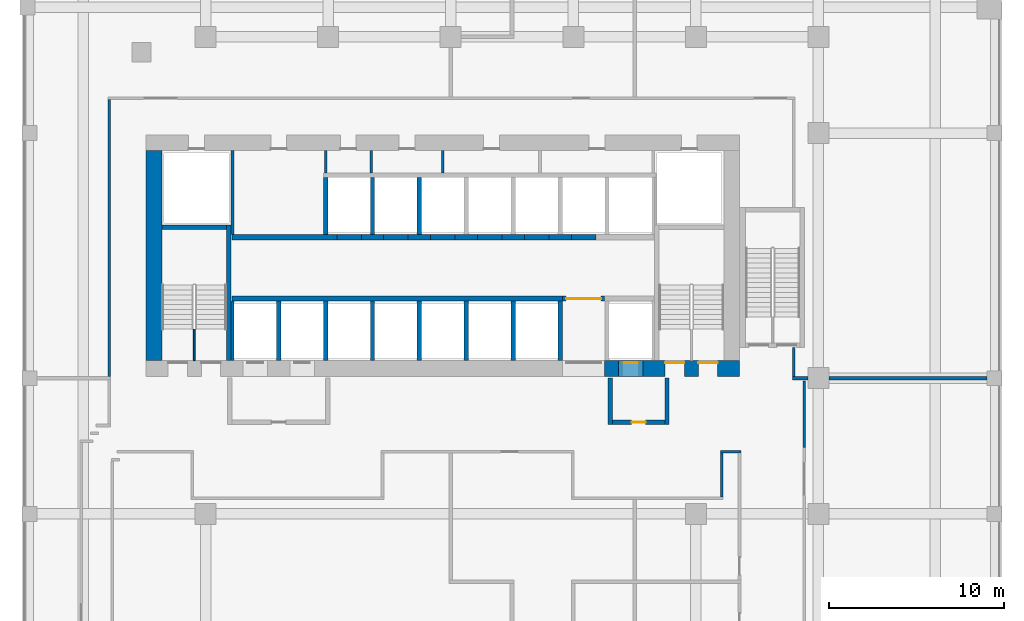
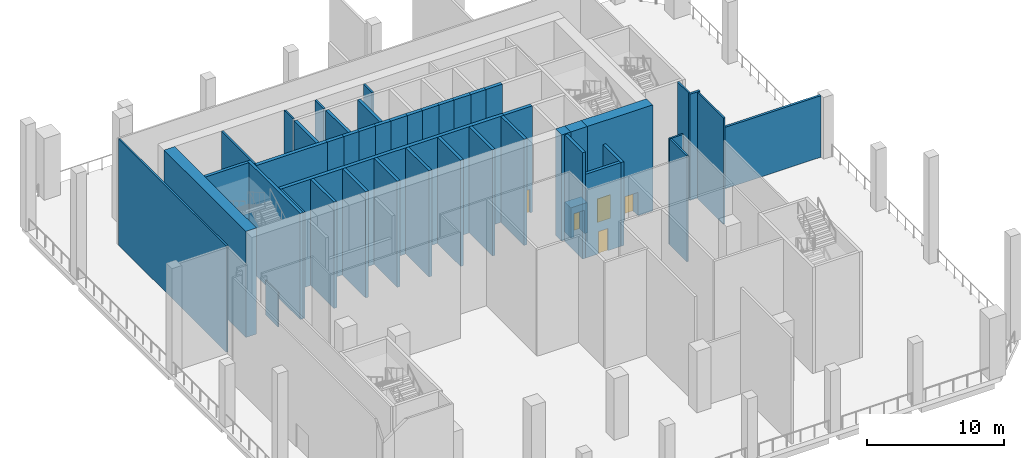
# One storey, part 4 of 12: 47 walls, 5 doors, 5 openings.
"""IFC4 building model written with IfcOpenShell, lengths in metres."""

from ifc_helpers import new_model, si_unit, direction, frame, frame_2d, origin, place, context, subcontext, project, spatial, rectangle, extrude, source, transform, mapped, material, layer, layer_set, type_object, element, fill, save


model = new_model("IFC4")

# Units and contexts
model_context = context("Model", 3, precision=1e-05, world=origin(), true_north=direction((0.0, 1.0)))
body_context = subcontext(model_context, "Body", "Model", "MODEL_VIEW")
ifc_project = project(units=[si_unit("LENGTHUNIT", "METRE"), si_unit("AREAUNIT", "SQUARE_METRE"), si_unit("VOLUMEUNIT", "CUBIC_METRE"), si_unit("PLANEANGLEUNIT", "RADIAN"), si_unit("MASSUNIT", "GRAM", prefix="KILO")], contexts=[model_context])

# Site, building, storey
site_placement = place(None, origin())
site = spatial("IfcSite", under=ifc_project, at=site_placement, CompositionType="ELEMENT")
building_placement = place(site_placement, origin())
building = spatial("IfcBuilding", under=site, at=building_placement, Name="Kilnfold Tower and Market Hall", CompositionType="ELEMENT")
storey_placement = place(building_placement, frame((0.0, 0.0, 128.60009765625)))
storey = spatial("IfcBuildingStorey", under=building, at=storey_placement, Name="L30 Refuge Wind Floor", CompositionType="ELEMENT", Elevation=128.60009765625)

# Walls
ifc_material_1 = material(Name="Gypsum board on steel studs", Category="steel")
ifc_layer_1 = layer(ifc_material_1, 0.14990234375)
ifc_layer_set_1 = layer_set([ifc_layer_1], Name="Gypsum board on steel studs")
wall_type_1 = type_object("IfcWallType", Name="WALL CORRIDOR 150", PredefinedType="PARTITIONING", material=ifc_layer_set_1)
wall_1_placement = place(storey_placement, frame((21.701904296875, 4.048095703125, 0.0), z_axis=(0.0, 0.0, 1.0), x_axis=(0.0, 1.0, 0.0)))
element("IfcWall", 1, at=wall_1_placement, inside=storey, type_object=wall_type_1, Name="Partition LY19.20", PredefinedType="PARTITIONING", context=body_context, shape_type="SweptSolid", body=[
    extrude(rectangle(XDim=3.788818359375, YDim=0.14990234375, at=frame_2d((1.89453125, 0.0))), origin(), (0.0, 0.0, 1.0), 9.5),
])
wall_2_placement = place(storey_placement, frame((16.905029296875, 3.800048828125, 0.0), z_axis=(0.0, 0.0, 1.0), x_axis=(1.0, 0.0, 0.0)))
element("IfcWall", 2, at=wall_2_placement, inside=storey, type_object=wall_type_1, Name="Partition LY19.23", PredefinedType="PARTITIONING", context=body_context, shape_type="SweptSolid", body=[
    extrude(rectangle(XDim=1.169921875, YDim=0.14990234375, at=frame_2d((0.5849609375, 0.0))), origin(), (0.0, 0.0, 1.0), 9.5),
])
wall_3_placement = place(storey_placement, frame((16.97998046875, 1.22509765625, 0.0), z_axis=(0.0, 0.0, 1.0), x_axis=(0.0, 1.0, 0.0)))
element("IfcWall", 3, at=wall_3_placement, inside=storey, type_object=wall_type_1, Name="Partition LY19.24", PredefinedType="PARTITIONING", context=body_context, shape_type="SweptSolid", body=[
    extrude(rectangle(XDim=2.5, YDim=0.14990234375, at=frame_2d((1.25, 0.0))), origin(), (0.0, 0.0, 1.0), 9.5),
])
wall_4_placement = place(storey_placement, frame((21.10009765625, 8.090087890625, 0.0), z_axis=(0.0, 0.0, 1.0), x_axis=(0.0, 1.0, 0.0)))
element("IfcWall", 4, at=wall_4_placement, inside=storey, type_object=wall_type_1, Name="Partition LY19.26", PredefinedType="PARTITIONING", context=body_context, shape_type="SweptSolid", body=[
    extrude(rectangle(XDim=1.659912109375, YDim=0.14990234375, at=frame_2d((0.830078125, 0.0))), origin(), (0.0, 0.0, 1.0), 9.5),
])
wall_5_placement = place(storey_placement, frame((-18.0, 8.090087890625, 0.0), z_axis=(0.0, 0.0, 1.0), x_axis=(0.0, 1.0, 0.0)))
element("IfcWall", 5, at=wall_5_placement, inside=storey, type_object=wall_type_1, Name="Partition LY19.27", PredefinedType="PARTITIONING", context=body_context, shape_type="SweptSolid", body=[
    extrude(rectangle(XDim=15.8349609375, YDim=0.14990234375, at=frame_2d((7.91748046875, 0.0))), origin(), (0.0, 0.0, 1.0), 9.5),
])
ifc_material_2 = material(Name="Gypsum board on steel studs", Category="steel")
ifc_layer_2 = layer(ifc_material_2, 0.199951171875)
ifc_layer_set_2 = layer_set([ifc_layer_2], Name="Gypsum board on steel studs")
wall_type_2 = type_object("IfcWallType", Name="WALL PARTY 200", PredefinedType="PARTITIONING", material=ifc_layer_set_2)
wall_6_placement = place(storey_placement, frame((21.027099609375, 8.0, 0.0), z_axis=(0.0, 0.0, 1.0), x_axis=(1.0, 0.0, 0.0)))
element("IfcWall", 6, at=wall_6_placement, inside=storey, type_object=wall_type_2, Name="Partition LY19.42", PredefinedType="PARTITIONING", context=body_context, shape_type="SweptSolid", body=[
    extrude(rectangle(XDim=0.872802734375, YDim=0.199951171875, at=frame_2d((0.4365234375, 0.0))), origin(), (0.0, 0.0, 1.0), 9.5),
])
wall_7_placement = place(storey_placement, frame((23.10009765625, 8.0, 0.0), z_axis=(0.0, 0.0, 1.0), x_axis=(1.0, 0.0, 0.0)))
element("IfcWall", 7, at=wall_7_placement, inside=storey, type_object=wall_type_2, Name="Partition LY19.43", PredefinedType="PARTITIONING", context=body_context, shape_type="SweptSolid", body=[
    extrude(rectangle(XDim=9.02490234375, YDim=0.199951171875, at=frame_2d((4.512451171875, 0.0))), origin(), (0.0, 0.0, 1.0), 5.5),
])
ifc_material_3 = material(Name="Concrete C70", Category="concrete")
ifc_layer_3 = layer(ifc_material_3, 0.89990234375)
ifc_layer_set_3 = layer_set([ifc_layer_3], Name="Concrete C70")
wall_type_3 = type_object("IfcWallType", Name="CORE WALL 900 C70", PredefinedType="SHEAR", material=ifc_layer_set_3)
shared_shape_1 = source(origin(), body_context, "Body", "SweptSolid", [
    extrude(rectangle(XDim=0.780029296875, YDim=0.89990234375, at=frame_2d((0.39013671875, 0.0))), origin(), (0.0, 0.0, 1.0), 9.5),
])
wall_8_placement = place(storey_placement, frame((10.2900390625, 8.550048828125, 0.0), z_axis=(0.0, 0.0, 1.0), x_axis=(1.0, 0.0, 0.0)))
element("IfcWall", 8, at=wall_8_placement, inside=storey, type_object=wall_type_3, Name="Core outer wall south", PredefinedType="SHEAR", context=body_context, shape_type="MappedRepresentation", body=[
    mapped(shared_shape_1, transform((0.0, 0.0, 0.0))),
])

# Wall, openings, doors
shared_shape_2 = source(origin(), body_context, "Body", "SweptSolid", [
    extrude(rectangle(XDim=5.530029296875, YDim=0.89990234375, at=frame_2d((2.76513671875, 0.0))), origin(), (0.0, 0.0, 1.0), 9.5),
])
wall_9_placement = place(storey_placement, frame((12.469970703125, 8.550048828125, 0.0), z_axis=(0.0, 0.0, 1.0), x_axis=(1.0, 0.0, 0.0)))
wall_9 = element("IfcWall", 9, at=wall_9_placement, inside=storey, type_object=wall_type_3, Name="Core outer wall south", PredefinedType="SHEAR", context=body_context, shape_type="MappedRepresentation", body=[
    mapped(shared_shape_2, transform((0.0, 0.0, 0.0))),
])
opening_1_placement = place(wall_9_placement, frame((1.280029296875, 0.0, 0.0)))
opening_1 = element("IfcOpeningElement", 10, at=opening_1_placement, cuts=wall_9, Name="Opening SD3", PredefinedType="OPENING", context=body_context, shape_type="SweptSolid", body=[
    extrude(rectangle(XDim=1.10009765625, YDim=2.10009765625, at=frame_2d((0.550048828125, 1.050048828125))), frame((0.0, 0.4599609375, 0.0), z_axis=(0.0, -1.0, 0.0), x_axis=(1.0, 0.0, 0.0)), (0.0, 0.0, 1.0), 0.919921875),
])
opening_2_placement = place(wall_9_placement, frame((3.179931640625, 0.0, 0.0)))
opening_2 = element("IfcOpeningElement", 11, at=opening_2_placement, cuts=wall_9, Name="Opening SD3", PredefinedType="OPENING", context=body_context, shape_type="SweptSolid", body=[
    extrude(rectangle(XDim=1.10009765625, YDim=2.10009765625, at=frame_2d((0.550048828125, 1.050048828125))), frame((0.0, 0.4599609375, 0.0), z_axis=(0.0, -1.0, 0.0), x_axis=(1.0, 0.0, 0.0)), (0.0, 0.0, 1.0), 0.919921875),
])
ifc_material_4 = material(Name="Steel door set with fire-resisting leaf", Category="steel")
door_type_1 = type_object("IfcDoorType", Name="STAIR REFUGE DOOR 1100X2100", OperationType="NOTDEFINED", PredefinedType="DOOR", material=ifc_material_4)
door_1_placement = place(opening_1_placement, origin())
door_1 = element("IfcDoor", 12, at=door_1_placement, inside=storey, type_object=door_type_1, Name="Exit stair ST2 door from refuge", OperationType="SINGLE_SWING_RIGHT", OverallHeight=2.10009765625, OverallWidth=1.10009765625, PredefinedType="DOOR", context=body_context, shape_type="SweptSolid", body=[
    extrude(rectangle(XDim=1.10009765625, YDim=2.10009765625, at=frame_2d((0.550048828125, 1.050048828125))), frame((0.0, 0.35498046875, 0.0), z_axis=(0.0, -1.0, 0.0), x_axis=(1.0, 0.0, 0.0)), (0.0, 0.0, 1.0), 0.050048828125),
])
fill(opening_1, door_1)
door_2_placement = place(opening_2_placement, origin())
door_2 = element("IfcDoor", 13, at=door_2_placement, inside=storey, type_object=door_type_1, Name="Exit stair ST2 door to refuge", OperationType="SINGLE_SWING_LEFT", OverallHeight=2.10009765625, OverallWidth=1.10009765625, PredefinedType="DOOR", context=body_context, shape_type="SweptSolid", body=[
    extrude(rectangle(XDim=1.10009765625, YDim=2.10009765625, at=frame_2d((0.550048828125, 1.050048828125))), frame((0.0, 0.35498046875, 0.0), z_axis=(0.0, -1.0, 0.0), x_axis=(1.0, 0.0, 0.0)), (0.0, 0.0, 1.0), 0.050048828125),
])
fill(opening_2, door_2)

# Walls
shared_shape_3 = source(origin(), body_context, "Body", "SweptSolid", [
    extrude(rectangle(XDim=12.0, YDim=0.89990234375, at=frame_2d((6.0, 0.0))), origin(), (0.0, 0.0, 1.0), 9.5),
])
wall_10_placement = place(storey_placement, frame((-15.449951171875, 9.0, 0.0), z_axis=(0.0, 0.0, 1.0), x_axis=(0.0, 1.0, 0.0)))
element("IfcWall", 14, at=wall_10_placement, inside=storey, type_object=wall_type_3, Name="Core outer wall west", PredefinedType="SHEAR", context=body_context, shape_type="MappedRepresentation", body=[
    mapped(shared_shape_3, transform((0.0, 0.0, 0.0))),
])
ifc_material_5 = material(Name="Concrete C70", Category="concrete")
ifc_layer_4 = layer(ifc_material_5, 0.25)
ifc_layer_set_4 = layer_set([ifc_layer_4], Name="Concrete C70")
wall_type_4 = type_object("IfcWallType", Name="CORE WALL 250 C70", PredefinedType="SHEAR", material=ifc_layer_set_4)
shared_shape_4 = source(origin(), body_context, "Body", "SweptSolid", [
    extrude(rectangle(XDim=7.75, YDim=0.25, at=frame_2d((3.875, 0.0))), origin(), (0.0, 0.0, 1.0), 9.5),
])
wall_11_placement = place(storey_placement, frame((-11.175048828125, 9.0, 0.0), z_axis=(0.0, 0.0, 1.0), x_axis=(0.0, 1.0, 0.0)))
element("IfcWall", 15, at=wall_11_placement, inside=storey, type_object=wall_type_4, Name="Stair enclosure ST1", PredefinedType="SHEAR", context=body_context, shape_type="MappedRepresentation", body=[
    mapped(shared_shape_4, transform((0.0, 0.0, 0.0))),
])
shared_shape_5 = source(origin(), body_context, "Body", "SweptSolid", [
    extrude(rectangle(XDim=3.699951171875, YDim=0.25, at=frame_2d((1.85009765625, 0.0))), origin(), (0.0, 0.0, 1.0), 9.5),
])
wall_12_placement = place(storey_placement, frame((-15.0, 16.625, 0.0), z_axis=(0.0, 0.0, 1.0), x_axis=(1.0, 0.0, 0.0)))
element("IfcWall", 16, at=wall_12_placement, inside=storey, type_object=wall_type_4, Name="Stair enclosure ST1", PredefinedType="SHEAR", context=body_context, shape_type="MappedRepresentation", body=[
    mapped(shared_shape_5, transform((0.0, 0.0, 0.0))),
])
ifc_material_6 = material(Name="Concrete C70", Category="concrete")
ifc_layer_5 = layer(ifc_material_6, 0.300048828125)
ifc_layer_set_5 = layer_set([ifc_layer_5], Name="Concrete C70")
wall_type_5 = type_object("IfcWallType", Name="CORE WALL 300 C70", PredefinedType="SHEAR", material=ifc_layer_set_5)
shared_shape_6 = source(origin(), body_context, "Body", "SweptSolid", [
    extrude(rectangle(XDim=18.89990234375, YDim=0.300048828125, at=frame_2d((9.449951171875, 0.0))), origin(), (0.0, 0.0, 1.0), 9.5),
])
wall_13_placement = place(storey_placement, frame((-11.010009765625, 12.550048828125, 0.0), z_axis=(0.0, 0.0, 1.0), x_axis=(1.0, 0.0, 0.0)))
element("IfcWall", 17, at=wall_13_placement, inside=storey, type_object=wall_type_5, Name="Core spine wall", PredefinedType="SHEAR", context=body_context, shape_type="MappedRepresentation", body=[
    mapped(shared_shape_6, transform((0.0, 0.0, 0.0))),
])
shared_shape_7 = source(origin(), body_context, "Body", "SweptSolid", [
    extrude(rectangle(XDim=6.0, YDim=0.300048828125, at=frame_2d((3.0, 0.0))), origin(), (0.0, 0.0, 1.0), 9.5),
])
wall_14_placement = place(storey_placement, frame((-11.010009765625, 16.050048828125, 0.0), z_axis=(0.0, 0.0, 1.0), x_axis=(1.0, 0.0, 0.0)))
element("IfcWall", 18, at=wall_14_placement, inside=storey, type_object=wall_type_5, Name="Core spine wall", PredefinedType="SHEAR", context=body_context, shape_type="MappedRepresentation", body=[
    mapped(shared_shape_7, transform((0.0, 0.0, 0.0))),
])
shared_shape_8 = source(origin(), body_context, "Body", "SweptSolid", [
    extrude(rectangle(XDim=1.280029296875, YDim=0.300048828125, at=frame_2d((0.64013671875, 0.0))), origin(), (0.0, 0.0, 1.0), 9.5),
])
for number, where, z_axis, x_axis, name in (
    (19, (-3.610107421875, 16.050048828125, 0.0), (0.0, 0.0, 1.0), (1.0, 0.0, 0.0), "Core spine wall"),
    (20, (-0.929931640625, 16.050048828125, 0.0), (0.0, 0.0, 1.0), (1.0, 0.0, 0.0), "Core spine wall"),
    (21, (1.75, 16.050048828125, 0.0), (0.0, 0.0, 1.0), (1.0, 0.0, 0.0), "Core spine wall"),
    (22, (4.429931640625, 16.050048828125, 0.0), (0.0, 0.0, 1.0), (1.0, 0.0, 0.0), "Core spine wall"),
):
    element("IfcWall", number, at=place(storey_placement, frame(where, z_axis=z_axis, x_axis=x_axis)), inside=storey, type_object=wall_type_5, Name=name, PredefinedType="SHEAR", context=body_context, shape_type="MappedRepresentation", body=[
        mapped(shared_shape_8, transform((0.0, 0.0, 0.0))),
    ])
shared_shape_9 = source(origin(), body_context, "Body", "SweptSolid", [
    extrude(rectangle(XDim=1.27978515625, YDim=0.300048828125, at=frame_2d((0.639892578125, 0.0))), origin(), (0.0, 0.0, 1.0), 9.5),
])
wall_15_placement = place(storey_placement, frame((7.110107421875, 16.050048828125, 0.0), z_axis=(0.0, 0.0, 1.0), x_axis=(1.0, 0.0, 0.0)))
element("IfcWall", 23, at=wall_15_placement, inside=storey, type_object=wall_type_5, Name="Core spine wall", PredefinedType="SHEAR", context=body_context, shape_type="MappedRepresentation", body=[
    mapped(shared_shape_9, transform((0.0, 0.0, 0.0))),
])
shared_shape_10 = source(origin(), body_context, "Body", "SweptSolid", [
    extrude(rectangle(XDim=1.39990234375, YDim=0.89990234375, at=frame_2d((0.699951171875, 0.0))), origin(), (0.0, 0.0, 1.0), 5.550048828125),
])
wall_16_placement = place(storey_placement, frame((11.070068359375, 8.550048828125, 3.949951171875), z_axis=(0.0, 0.0, 1.0), x_axis=(1.0, 0.0, 0.0)))
element("IfcWall", 24, at=wall_16_placement, inside=storey, type_object=wall_type_3, Name="Core wall over opening", PredefinedType="SHEAR", context=body_context, shape_type="MappedRepresentation", body=[
    mapped(shared_shape_10, transform((0.0, 0.0, 0.0))),
])

# Wall, opening, door
ifc_material_7 = material(Name="Gypsum shaft wall system")
ifc_layer_6 = layer(ifc_material_7, 0.89990234375)
ifc_layer_set_6 = layer_set([ifc_layer_6], Name="Gypsum shaft wall system")
wall_type_6 = type_object("IfcWallType", Name="LOBBY WALL 900", PredefinedType="PARTITIONING", material=ifc_layer_set_6)
shared_shape_11 = source(origin(), body_context, "Body", "SweptSolid", [
    extrude(rectangle(XDim=1.39990234375, YDim=0.89990234375, at=frame_2d((0.699951171875, 0.0))), origin(), (0.0, 0.0, 1.0), 2.699951171875),
])
wall_17_placement = place(storey_placement, frame((11.070068359375, 8.550048828125, 0.0), z_axis=(0.0, 0.0, 1.0), x_axis=(1.0, 0.0, 0.0)))
wall_17 = element("IfcWall", 25, at=wall_17_placement, inside=storey, type_object=wall_type_6, Name="Core wall infill", PredefinedType="PARTITIONING", context=body_context, shape_type="MappedRepresentation", body=[
    mapped(shared_shape_11, transform((0.0, 0.0, 0.0))),
])
opening_3_placement = place(wall_17_placement, frame((0.25, 0.0, 0.0)))
opening_3 = element("IfcOpeningElement", 26, at=opening_3_placement, cuts=wall_17, Name="Opening LD1", PredefinedType="OPENING", context=body_context, shape_type="SweptSolid", body=[
    extrude(rectangle(XDim=0.89990234375, YDim=2.10009765625, at=frame_2d((0.449951171875, 1.050048828125))), frame((0.0, 0.4599609375, 0.0), z_axis=(0.0, -1.0, 0.0), x_axis=(1.0, 0.0, 0.0)), (0.0, 0.0, 1.0), 0.919921875),
])
ifc_material_8 = material(Name="Steel door set with fire-resisting leaf", Category="steel")
door_type_2 = type_object("IfcDoorType", Name="FIREFIGHTING LANDING DOOR 900X2100", OperationType="NOTDEFINED", PredefinedType="DOOR", material=ifc_material_8)
door_3_placement = place(opening_3_placement, origin())
door_3 = element("IfcDoor", 27, at=door_3_placement, inside=storey, type_object=door_type_2, Name="Landing door FF3", OperationType="SLIDING_TO_LEFT", OverallHeight=2.10009765625, OverallWidth=0.89990234375, PredefinedType="DOOR", context=body_context, shape_type="SweptSolid", body=[
    extrude(rectangle(XDim=0.89990234375, YDim=2.10009765625, at=frame_2d((0.449951171875, 1.050048828125))), frame((0.0, 0.35498046875, 0.0), z_axis=(0.0, -1.0, 0.0), x_axis=(1.0, 0.0, 0.0)), (0.0, 0.0, 1.0), 0.050048828125),
])
fill(opening_3, door_3)

ifc_material_9 = material(Name="Gypsum shaft wall system")
ifc_layer_7 = layer(ifc_material_9, 0.300048828125)
ifc_layer_set_7 = layer_set([ifc_layer_7], Name="Gypsum shaft wall system")
wall_type_7 = type_object("IfcWallType", Name="SHAFT WALL 300", PredefinedType="PARTITIONING", material=ifc_layer_set_7)
shared_shape_12 = source(origin(), body_context, "Body", "SweptSolid", [
    extrude(rectangle(XDim=2.400146484375, YDim=0.300048828125, at=frame_2d((1.2001953125, 0.0))), origin(), (0.0, 0.0, 1.0), 9.5),
])
wall_18_placement = place(storey_placement, frame((7.889892578125, 12.550048828125, 0.0), z_axis=(0.0, 0.0, 1.0), x_axis=(1.0, 0.0, 0.0)))
wall_18 = element("IfcWall", 28, at=wall_18_placement, inside=storey, type_object=wall_type_7, Name="Lift shaft front wall", PredefinedType="PARTITIONING", context=body_context, shape_type="MappedRepresentation", body=[
    mapped(shared_shape_12, transform((0.0, 0.0, 0.0))),
])
opening_4_placement = place(wall_18_placement, frame((0.199951171875, 0.0, 0.0)))
opening_4 = element("IfcOpeningElement", 29, at=opening_4_placement, cuts=wall_18, Name="Opening VD2", PredefinedType="OPENING", context=body_context, shape_type="SweptSolid", body=[
    extrude(rectangle(XDim=2.0, YDim=2.10009765625, at=frame_2d((1.0, 1.050048828125))), frame((0.0, 0.16015625, 0.0), z_axis=(0.0, -1.0, 0.0), x_axis=(1.0, 0.0, 0.0)), (0.0, 0.0, 1.0), 0.320068359375),
])
ifc_material_10 = material(Name="Steel door set with fire-resisting leaf", Category="steel")
door_type_3 = type_object("IfcDoorType", Name="LIFT LOBBY ENTRANCE DOOR 2000X2100", OperationType="NOTDEFINED", PredefinedType="DOOR", material=ifc_material_10)
door_4_placement = place(opening_4_placement, origin())
door_4 = element("IfcDoor", 30, at=door_4_placement, inside=storey, type_object=door_type_3, Name="Lift lobby entrance door", OperationType="DOUBLE_DOOR_SINGLE_SWING", OverallHeight=2.10009765625, OverallWidth=2.0, PredefinedType="DOOR", context=body_context, shape_type="SweptSolid", body=[
    extrude(rectangle(XDim=2.0, YDim=2.10009765625, at=frame_2d((1.0, 1.050048828125))), frame((0.0, 0.02490234375, 0.0), z_axis=(0.0, -1.0, 0.0), x_axis=(1.0, 0.0, 0.0)), (0.0, 0.0, 1.0), 0.050048828125),
])
fill(opening_4, door_4)

# Walls
shared_shape_13 = source(origin(), body_context, "Body", "SweptSolid", [
    extrude(rectangle(XDim=1.39990234375, YDim=0.300048828125, at=frame_2d((0.699951171875, 0.0))), origin(), (0.0, 0.0, 1.0), 9.5),
])
for number, where, z_axis, x_axis, name in (
    (31, (-5.010009765625, 16.050048828125, 0.0), (0.0, 0.0, 1.0), (1.0, 0.0, 0.0), "Lift shaft front wall"),
    (32, (0.35009765625, 16.050048828125, 0.0), (0.0, 0.0, 1.0), (1.0, 0.0, 0.0), "Lift shaft front wall"),
    (33, (3.030029296875, 16.050048828125, 0.0), (0.0, 0.0, 1.0), (1.0, 0.0, 0.0), "Lift shaft front wall"),
):
    element("IfcWall", number, at=place(storey_placement, frame(where, z_axis=z_axis, x_axis=x_axis)), inside=storey, type_object=wall_type_7, Name=name, PredefinedType="PARTITIONING", context=body_context, shape_type="MappedRepresentation", body=[
        mapped(shared_shape_13, transform((0.0, 0.0, 0.0))),
    ])
shared_shape_14 = source(origin(), body_context, "Body", "SweptSolid", [
    extrude(rectangle(XDim=1.400146484375, YDim=0.300048828125, at=frame_2d((0.7001953125, 0.0))), origin(), (0.0, 0.0, 1.0), 9.5),
])
for number, where, z_axis, x_axis, name in (
    (34, (-2.330078125, 16.050048828125, 0.0), (0.0, 0.0, 1.0), (1.0, 0.0, 0.0), "Lift shaft front wall"),
    (35, (5.7099609375, 16.050048828125, 0.0), (0.0, 0.0, 1.0), (1.0, 0.0, 0.0), "Lift shaft front wall"),
    (36, (8.389892578125, 16.050048828125, 0.0), (0.0, 0.0, 1.0), (1.0, 0.0, 0.0), "Lift shaft front wall"),
):
    element("IfcWall", number, at=place(storey_placement, frame(where, z_axis=z_axis, x_axis=x_axis)), inside=storey, type_object=wall_type_7, Name=name, PredefinedType="PARTITIONING", context=body_context, shape_type="MappedRepresentation", body=[
        mapped(shared_shape_14, transform((0.0, 0.0, 0.0))),
    ])
ifc_material_11 = material(Name="Gypsum shaft wall system")
ifc_layer_8 = layer(ifc_material_11, 0.25)
ifc_layer_set_8 = layer_set([ifc_layer_8], Name="Gypsum shaft wall system")
wall_type_8 = type_object("IfcWallType", Name="LOBBY WALL 250", PredefinedType="PARTITIONING", material=ifc_layer_set_8)
shared_shape_15 = source(origin(), body_context, "Body", "SweptSolid", [
    extrude(rectangle(XDim=2.64990234375, YDim=0.25, at=frame_2d((1.324951171875, 0.0))), origin(), (0.0, 0.0, 1.0), 9.5),
])
wall_19_placement = place(storey_placement, frame((10.60498046875, 5.35009765625, 0.0), z_axis=(0.0, 0.0, 1.0), x_axis=(0.0, 1.0, 0.0)))
element("IfcWall", 37, at=wall_19_placement, inside=storey, type_object=wall_type_8, Name="Firefighting lobby wall", PredefinedType="PARTITIONING", context=body_context, shape_type="MappedRepresentation", body=[
    mapped(shared_shape_15, transform((0.0, 0.0, 0.0))),
])
shared_shape_16 = source(origin(), body_context, "Body", "SweptSolid", [
    extrude(rectangle(XDim=2.64990234375, YDim=0.25, at=frame_2d((1.324951171875, 0.0))), origin(), (0.0, 0.0, 1.0), 7.5),
])
wall_20_placement = place(storey_placement, frame((13.85498046875, 5.35009765625, 0.0), z_axis=(0.0, 0.0, 1.0), x_axis=(0.0, 1.0, 0.0)))
element("IfcWall", 38, at=wall_20_placement, inside=storey, type_object=wall_type_8, Name="Firefighting lobby wall", PredefinedType="PARTITIONING", context=body_context, shape_type="MappedRepresentation", body=[
    mapped(shared_shape_16, transform((0.0, 0.0, 0.0))),
])

# Wall, opening, door
shared_shape_17 = source(origin(), body_context, "Body", "SweptSolid", [
    extrude(rectangle(XDim=3.0, YDim=0.25, at=frame_2d((1.5, 0.0))), origin(), (0.0, 0.0, 1.0), 7.5),
])
wall_21_placement = place(storey_placement, frame((10.72998046875, 5.47509765625, 0.0), z_axis=(0.0, 0.0, 1.0), x_axis=(1.0, 0.0, 0.0)))
wall_21 = element("IfcWall", 39, at=wall_21_placement, inside=storey, type_object=wall_type_8, Name="Firefighting lobby wall", PredefinedType="PARTITIONING", context=body_context, shape_type="MappedRepresentation", body=[
    mapped(shared_shape_17, transform((0.0, 0.0, 0.0))),
])
opening_5_placement = place(wall_21_placement, frame((1.10009765625, 0.0, 0.0)))
opening_5 = element("IfcOpeningElement", 40, at=opening_5_placement, cuts=wall_21, Name="Opening VD1", PredefinedType="OPENING", context=body_context, shape_type="SweptSolid", body=[
    extrude(rectangle(XDim=0.800048828125, YDim=2.0, at=frame_2d((0.39990234375, 1.0))), frame((0.0, 0.135009765625, 0.0), z_axis=(0.0, -1.0, 0.0), x_axis=(1.0, 0.0, 0.0)), (0.0, 0.0, 1.0), 0.27001953125),
])
ifc_material_12 = material(Name="Steel door set with fire-resisting leaf", Category="steel")
door_type_4 = type_object("IfcDoorType", Name="FIREFIGHTING LOBBY DOOR 800X2000", OperationType="NOTDEFINED", PredefinedType="DOOR", material=ifc_material_12)
door_5_placement = place(opening_5_placement, origin())
door_5 = element("IfcDoor", 41, at=door_5_placement, inside=storey, type_object=door_type_4, Name="Firefighting lobby door", OperationType="SINGLE_SWING_RIGHT", OverallHeight=2.0, OverallWidth=0.800048828125, PredefinedType="DOOR", context=body_context, shape_type="SweptSolid", body=[
    extrude(rectangle(XDim=0.800048828125, YDim=2.0, at=frame_2d((0.39990234375, 1.0))), frame((0.0, 0.02490234375, 0.0), z_axis=(0.0, -1.0, 0.0), x_axis=(1.0, 0.0, 0.0)), (0.0, 0.0, 1.0), 0.050048828125),
])
fill(opening_5, door_5)

# Walls
ifc_material_13 = material(Name="Gypsum shaft wall system")
ifc_layer_9 = layer(ifc_material_13, 0.1650390625)
ifc_layer_set_9 = layer_set([ifc_layer_9], Name="Gypsum shaft wall system")
wall_type_9 = type_object("IfcWallType", Name="SHAFT WALL 165", PredefinedType="PARTITIONING", material=ifc_layer_set_9)
shared_shape_18 = source(origin(), body_context, "Body", "SweptSolid", [
    extrude(rectangle(XDim=4.800048828125, YDim=0.1650390625, at=frame_2d((2.39990234375, 0.0))), origin(), (0.0, 0.0, 1.0), 9.5),
])
wall_22_placement = place(storey_placement, frame((-10.967529296875, 16.199951171875, 0.0), z_axis=(0.0, 0.0, 1.0), x_axis=(0.0, 1.0, 0.0)))
element("IfcWall", 42, at=wall_22_placement, inside=storey, type_object=wall_type_9, Name="Lift shaft wall", PredefinedType="PARTITIONING", context=body_context, shape_type="MappedRepresentation", body=[
    mapped(shared_shape_18, transform((0.0, 0.0, 0.0))),
])
ifc_material_14 = material(Name="Gypsum shaft wall system")
ifc_layer_10 = layer(ifc_material_14, 0.25)
ifc_layer_set_10 = layer_set([ifc_layer_10], Name="Gypsum shaft wall system")
wall_type_10 = type_object("IfcWallType", Name="SHAFT WALL 250", PredefinedType="PARTITIONING", material=ifc_layer_set_10)
shared_shape_19 = source(origin(), body_context, "Body", "SweptSolid", [
    extrude(rectangle(XDim=3.275146484375, YDim=0.25, at=frame_2d((1.6376953125, 0.0))), origin(), (0.0, 0.0, 1.0), 9.5),
])
for number, where, z_axis, x_axis, name in (
    (43, (-0.2900390625, 16.199951171875, 0.0), (0.0, 0.0, 1.0), (0.0, 1.0, 0.0), "Lift shaft wall"),
    (44, (-2.969970703125, 16.199951171875, 0.0), (0.0, 0.0, 1.0), (0.0, 1.0, 0.0), "Lift shaft wall"),
    (45, (-5.64990234375, 16.199951171875, 0.0), (0.0, 0.0, 1.0), (0.0, 1.0, 0.0), "Lift shaft wall"),
):
    element("IfcWall", number, at=place(storey_placement, frame(where, z_axis=z_axis, x_axis=x_axis)), inside=storey, type_object=wall_type_10, Name=name, PredefinedType="PARTITIONING", context=body_context, shape_type="MappedRepresentation", body=[
        mapped(shared_shape_19, transform((0.0, 0.0, 0.0))),
    ])
shared_shape_20 = source(origin(), body_context, "Body", "SweptSolid", [
    extrude(rectangle(XDim=3.39990234375, YDim=0.25, at=frame_2d((1.699951171875, 0.0))), origin(), (0.0, 0.0, 1.0), 9.5),
])
for number, where, z_axis, x_axis, name in (
    (46, (2.389892578125, 9.0, 0.0), (0.0, 0.0, 1.0), (0.0, 1.0, 0.0), "Lift shaft wall"),
    (47, (5.070068359375, 9.0, 0.0), (0.0, 0.0, 1.0), (0.0, 1.0, 0.0), "Lift shaft wall"),
    (48, (7.75, 9.0, 0.0), (0.0, 0.0, 1.0), (0.0, 1.0, 0.0), "Lift shaft wall"),
    (49, (-0.2900390625, 9.0, 0.0), (0.0, 0.0, 1.0), (0.0, 1.0, 0.0), "Lift shaft wall"),
    (50, (-2.969970703125, 9.0, 0.0), (0.0, 0.0, 1.0), (0.0, 1.0, 0.0), "Lift shaft wall"),
    (51, (-5.64990234375, 9.0, 0.0), (0.0, 0.0, 1.0), (0.0, 1.0, 0.0), "Lift shaft wall"),
    (52, (-8.330078125, 9.0, 0.0), (0.0, 0.0, 1.0), (0.0, 1.0, 0.0), "Lift shaft wall"),
):
    element("IfcWall", number, at=place(storey_placement, frame(where, z_axis=z_axis, x_axis=x_axis)), inside=storey, type_object=wall_type_10, Name=name, PredefinedType="PARTITIONING", context=body_context, shape_type="MappedRepresentation", body=[
        mapped(shared_shape_20, transform((0.0, 0.0, 0.0))),
    ])
shared_shape_21 = source(origin(), body_context, "Body", "SweptSolid", [
    extrude(rectangle(XDim=3.39990234375, YDim=0.1650390625, at=frame_2d((1.699951171875, 0.0))), origin(), (0.0, 0.0, 1.0), 9.5),
])
wall_23_placement = place(storey_placement, frame((-10.967529296875, 9.0, 0.0), z_axis=(0.0, 0.0, 1.0), x_axis=(0.0, 1.0, 0.0)))
element("IfcWall", 53, at=wall_23_placement, inside=storey, type_object=wall_type_9, Name="Lift shaft wall", PredefinedType="PARTITIONING", context=body_context, shape_type="MappedRepresentation", body=[
    mapped(shared_shape_21, transform((0.0, 0.0, 0.0))),
])
ifc_material_15 = material(Name="Gypsum shaft wall system")
ifc_layer_11 = layer(ifc_material_15, 0.14990234375)
ifc_layer_set_11 = layer_set([ifc_layer_11], Name="Gypsum shaft wall system")
wall_type_11 = type_object("IfcWallType", Name="ROOM WALL 150", PredefinedType="PARTITIONING", material=ifc_layer_set_11)
shared_shape_22 = source(origin(), body_context, "Body", "SweptSolid", [
    extrude(rectangle(XDim=1.27490234375, YDim=0.14990234375, at=frame_2d((0.637451171875, 0.0))), origin(), (0.0, 0.0, 1.0), 9.5),
])
for number, where, z_axis, x_axis, name in (
    (54, (-5.64990234375, 19.72509765625, 0.0), (0.0, 0.0, 1.0), (0.0, 1.0, 0.0), "Core room wall"),
    (55, (-3.05029296875, 19.72509765625, 0.0), (0.0, 0.0, 1.0), (0.0, 1.0, 0.0), "Core room wall"),
    (56, (1.050048828125, 19.72509765625, 0.0), (0.0, 0.0, 1.0), (0.0, 1.0, 0.0), "Core room wall"),
):
    element("IfcWall", number, at=place(storey_placement, frame(where, z_axis=z_axis, x_axis=x_axis)), inside=storey, type_object=wall_type_11, Name=name, PredefinedType="PARTITIONING", context=body_context, shape_type="MappedRepresentation", body=[
        mapped(shared_shape_22, transform((0.0, 0.0, 0.0))),
    ])
ifc_material_16 = material(Name="Gypsum shaft wall system")
ifc_layer_12 = layer(ifc_material_16, 0.10009765625)
ifc_layer_set_12 = layer_set([ifc_layer_12], Name="Gypsum shaft wall system")
wall_type_12 = type_object("IfcWallType", Name="STAIR PARTITION 100", PredefinedType="PARTITIONING", material=ifc_layer_set_12)
shared_shape_23 = source(origin(), body_context, "Body", "SweptSolid", [
    extrude(rectangle(XDim=1.800048828125, YDim=0.10009765625, at=frame_2d((0.89990234375, 0.0))), origin(), (0.0, 0.0, 1.0), 3.099853515625),
])
wall_24_placement = place(storey_placement, frame((-13.14990234375, 9.0, 0.0), z_axis=(0.0, 0.0, 1.0), x_axis=(0.0, 1.0, 0.0)))
element("IfcWall", 57, at=wall_24_placement, inside=storey, type_object=wall_type_12, Name="Exit stair ST1 refuge partition", PredefinedType="PARTITIONING", context=body_context, shape_type="MappedRepresentation", body=[
    mapped(shared_shape_23, transform((0.0, 0.0, 0.0))),
])

save(model, "model.ifc")
